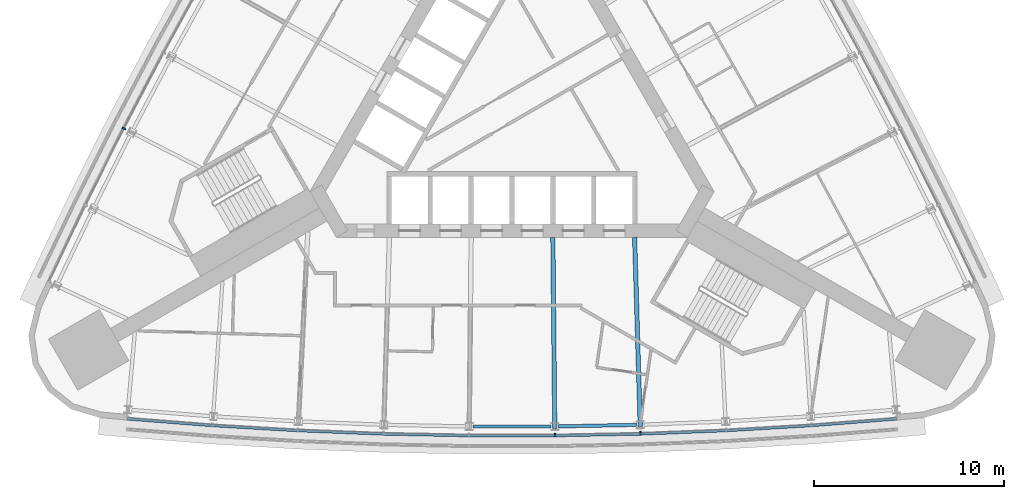
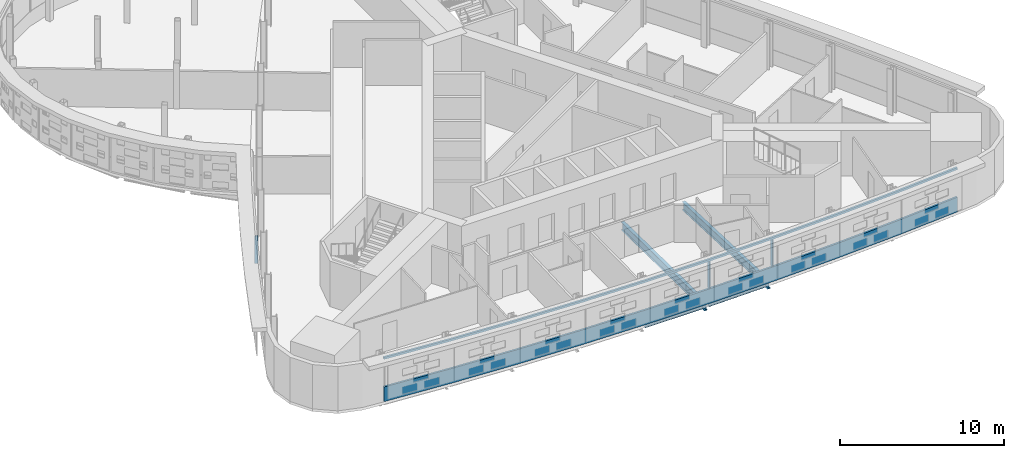
# One storey, part 5 of 17: 5 members, 4 beams, 2 elements without a shape of their own.
"""IFC4 building model written with IfcOpenShell, lengths in metres."""

from ifc_helpers import new_model, si_unit, direction, frame, origin, origin_2d, place, context, subcontext, project, spatial, polyline, rectangle, i_section, outline, extrude, material, material_profile, profile_set, type_object, element, aggregate, save


model = new_model("IFC4")

# Units and contexts
model_context = context("Model", 3, precision=1e-05, world=origin(), true_north=direction((0.0, 1.0)))
body_context = subcontext(model_context, "Body", "Model", "MODEL_VIEW")
ifc_project = project(units=[si_unit("LENGTHUNIT", "METRE"), si_unit("AREAUNIT", "SQUARE_METRE"), si_unit("VOLUMEUNIT", "CUBIC_METRE"), si_unit("PLANEANGLEUNIT", "RADIAN"), si_unit("MASSUNIT", "GRAM", prefix="KILO")], contexts=[model_context])

# Site, building, storey
site_placement = place(None, origin())
site = spatial("IfcSite", under=ifc_project, at=site_placement, CompositionType="ELEMENT")
building_placement = place(site_placement, origin())
building = spatial("IfcBuilding", under=site, at=building_placement, Name="Noor Cloister Tower", CompositionType="ELEMENT")
storey_placement = place(building_placement, frame((0.0, 0.0, 95.10009765625)))
storey = spatial("IfcBuildingStorey", under=building, at=storey_placement, Name="L24", CompositionType="ELEMENT", Elevation=95.10009765625)

# Curtain wall, member
ifc_material_1 = material(Name="Aluminium 6063-T6 anodised", Category="aluminium")
curtain_wall_type = type_object("IfcCurtainWallType", Name="Ribbon curtain wall, lower tower CW1", PredefinedType="NOTDEFINED", material=ifc_material_1)
curtain_wall_1_placement = place(storey_placement, origin())
curtain_wall_1 = element("IfcCurtainWall", 1, at=curtain_wall_1_placement, inside=storey, type_object=curtain_wall_type, Name="CW1 L24 S run 3", PredefinedType="NOTDEFINED")
ifc_material_2 = material(Name="Aluminium 6063-T6 anodised", Category="aluminium")
member_type_1 = type_object("IfcMemberType", Name="Head transom CW1 150", PredefinedType="USERDEFINED", material=ifc_material_2)
member_1_placement = place(storey_placement, frame((0.0, 0.0, 3.14990234375)))
member_1 = element("IfcMember", 2, at=member_1_placement, type_object=member_type_1, Name="CW1 head transom", ObjectType="TRANSOM", PredefinedType="USERDEFINED", context=body_context, shape_type="SweptSolid", body=[
    extrude(outline(polyline([(-20.2236328125, -16.53125), (-15.737548828125, -16.88525390625), (-11.245361328125, -17.150634765625), (-6.7490234375, -17.327880859375), (-2.25, -17.41650390625), (2.25, -17.41650390625), (6.7490234375, -17.327880859375), (11.245361328125, -17.150634765625), (15.737548828125, -16.88525390625), (20.2236328125, -16.53125), (20.21240234375, -16.3916015625), (15.72802734375, -16.74560546875), (11.238525390625, -17.010986328125), (6.744873046875, -17.18798828125), (2.24853515625, -17.2763671875), (-2.24853515625, -17.2763671875), (-6.744873046875, -17.18798828125), (-11.238525390625, -17.010986328125), (-15.72802734375, -16.74560546875), (-20.21240234375, -16.3916015625), (-20.2236328125, -16.53125)])), origin(), (0.0, 0.0, 1.0), 0.14990234375),
])

curtain_wall_2_placement = place(storey_placement, origin())
curtain_wall_2 = element("IfcCurtainWall", 3, at=curtain_wall_2_placement, inside=storey, type_object=curtain_wall_type, Name="CW1 L24 NW run 2", PredefinedType="NOTDEFINED")
ifc_material_3 = material(Name="Aluminium 6063-T6 anodised", Category="aluminium")
ifc_material_profile_1 = material_profile(ifc_material_3, rectangle(XDim=0.199951171875, YDim=0.080078125, at=origin_2d()), Name="200 x 80 mullion")
ifc_profile_set_1 = profile_set([ifc_material_profile_1], Name="Aluminium 6063-T6 anodised")
member_type_2 = type_object("IfcMemberType", Name="Mullion CW1 80 x 200", PredefinedType="MULLION", material=ifc_profile_set_1)
member_2_placement = place(storey_placement, frame((-20.38671875, -1.209228515625, 1.099853515625), z_axis=(0.0, 0.0, 1.0), x_axis=(0.889571260287, -0.456796423881, 0.0)))
member_2 = element("IfcMember", 4, at=member_2_placement, type_object=member_type_2, Name="CW1 mullion 3", PredefinedType="MULLION", context=body_context, shape_type="SweptSolid", body=[
    extrude(rectangle(XDim=0.199951171875, YDim=0.080078125, at=origin_2d()), origin(), (0.0, 0.0, 1.0), 2.050048828125),
])
aggregate(curtain_wall_2, [member_2])

# Member
member_3_placement = place(storey_placement, frame((2.2490234375, -17.31640625, 1.099853515625), z_axis=(0.0, 0.0, 1.0), x_axis=(-0.009841473527, 0.999951571527, 0.0)))
member_3 = element("IfcMember", 5, at=member_3_placement, type_object=member_type_2, Name="CW1 mullion 6", PredefinedType="MULLION", context=body_context, shape_type="SweptSolid", body=[
    extrude(rectangle(XDim=0.199951171875, YDim=0.080078125, at=origin_2d()), origin(), (0.0, 0.0, 1.0), 2.050048828125),
])

member_4_placement = place(storey_placement, frame((6.74609375, -17.227783203125, 1.099853515625), z_axis=(0.0, 0.0, 1.0), x_axis=(-0.029520625259, 0.999564171369, 0.0)))
member_4 = element("IfcMember", 6, at=member_4_placement, type_object=member_type_2, Name="CW1 mullion 7", PredefinedType="MULLION", context=body_context, shape_type="SweptSolid", body=[
    extrude(rectangle(XDim=0.199951171875, YDim=0.080078125, at=origin_2d()), origin(), (0.0, 0.0, 1.0), 2.050048828125),
])

# Beams
ifc_material_4 = material(Name="Steel ASTM A992 Gr 50", Category="steel")
ifc_material_profile_2 = material_profile(ifc_material_4, i_section(OverallWidth=0.22802734375, OverallDepth=0.60205078125, WebThickness=0.010498046875, FlangeThickness=0.014892578125, FilletRadius=0.0126953125, at=origin_2d()), Name="W610x101")
ifc_profile_set_2 = profile_set([ifc_material_profile_2], Name="Steel ASTM A992 Gr 50")
beam_type_1 = type_object("IfcBeamType", Name="Radial beam W610x101", PredefinedType="BEAM", material=ifc_profile_set_2)
beam_1_placement = place(storey_placement, frame((2.24560546875, -16.967041015625, -0.5009765625), z_axis=(-0.009848983597, 0.999951497585, 0.0), x_axis=(-0.999951497585, -0.009848983597, 0.0)))
element("IfcBeam", 7, at=beam_1_placement, inside=storey, type_object=beam_type_1, Name="Radial beam S 06 L24", PredefinedType="BEAM", context=body_context, shape_type="SweptSolid", body=[
    extrude(i_section(OverallWidth=0.22802734375, OverallDepth=0.60205078125, WebThickness=0.010498046875, FlangeThickness=0.014892578125, FilletRadius=0.0126953125, at=origin_2d()), origin(), (0.0, 0.0, 1.0), 10.039306640625),
])
beam_2_placement = place(storey_placement, frame((6.73583984375, -16.878662109375, -0.5009765625), z_axis=(-0.029528056482, 0.999563951871, 0.0), x_axis=(-0.999563951871, -0.029528056482, 0.0)))
element("IfcBeam", 8, at=beam_2_placement, inside=storey, type_object=beam_type_1, Name="Radial beam S 07 L24", PredefinedType="BEAM", context=body_context, shape_type="SweptSolid", body=[
    extrude(i_section(OverallWidth=0.22802734375, OverallDepth=0.60205078125, WebThickness=0.010498046875, FlangeThickness=0.014892578125, FilletRadius=0.0126953125, at=origin_2d()), origin(), (0.0, 0.0, 1.0), 9.954833984375),
])

# Member
ifc_material_5 = material(Name="Aluminium 6063-T6 anodised", Category="aluminium")
member_type_3 = type_object("IfcMemberType", Name="Sill transom CW1 1100", PredefinedType="USERDEFINED", material=ifc_material_5)
member_5_placement = place(storey_placement, origin())
member_5 = element("IfcMember", 9, at=member_5_placement, type_object=member_type_3, Name="CW1 sill transom", ObjectType="TRANSOM", PredefinedType="USERDEFINED", context=body_context, shape_type="SweptSolid", body=[
    extrude(outline(polyline([(-20.2236328125, -16.53125), (-15.737548828125, -16.88525390625), (-11.245361328125, -17.150634765625), (-6.7490234375, -17.327880859375), (-2.25, -17.41650390625), (2.25, -17.41650390625), (6.7490234375, -17.327880859375), (11.245361328125, -17.150634765625), (15.737548828125, -16.88525390625), (20.2236328125, -16.53125), (20.21240234375, -16.3916015625), (15.72802734375, -16.74560546875), (11.238525390625, -17.010986328125), (6.744873046875, -17.18798828125), (2.24853515625, -17.2763671875), (-2.24853515625, -17.2763671875), (-6.744873046875, -17.18798828125), (-11.238525390625, -17.010986328125), (-15.72802734375, -16.74560546875), (-20.21240234375, -16.3916015625), (-20.2236328125, -16.53125)])), origin(), (0.0, 0.0, 1.0), 1.099853515625),
])

aggregate(curtain_wall_1, [member_3, member_4, member_5, member_1])

# Beams
ifc_material_6 = material(Name="Steel ASTM A992 Gr 50", Category="steel")
ifc_material_profile_3 = material_profile(ifc_material_6, i_section(OverallWidth=0.177978515625, OverallDepth=0.406005859375, WebThickness=0.0078125, FlangeThickness=0.0126953125, FilletRadius=0.01025390625, at=origin_2d()), Name="W410x60")
ifc_profile_set_3 = profile_set([ifc_material_profile_3], Name="Steel ASTM A992 Gr 50")
beam_type_2 = type_object("IfcBeamType", Name="Spandrel beam W410x60", PredefinedType="SPANDREL", material=ifc_profile_set_3)
for number, where, z_axis, x_axis, name in (
    (10, (-2.0439453125, -16.866455078125, -0.403076171875), (1.0, 0.0, 0.0), (0.0, 1.0, 0.0), "Spandrel beam S 05 L24"),
    (11, (2.445068359375, -16.862548828125, -0.403076171875), (0.999805773471, 0.019708255495, 0.0), (-0.019708255495, 0.999805773471, 0.0), "Spandrel beam S 06 L24"),
):
    element("IfcBeam", number, at=place(storey_placement, frame(where, z_axis=z_axis, x_axis=x_axis)), inside=storey, type_object=beam_type_2, Name=name, PredefinedType="SPANDREL", context=body_context, shape_type="SweptSolid", body=[
        extrude(i_section(OverallWidth=0.177978515625, OverallDepth=0.406005859375, WebThickness=0.0078125, FlangeThickness=0.0126953125, FilletRadius=0.01025390625, at=origin_2d()), origin(), (0.0, 0.0, 1.0), 4.087890625),
    ])

save(model, "model.ifc")
